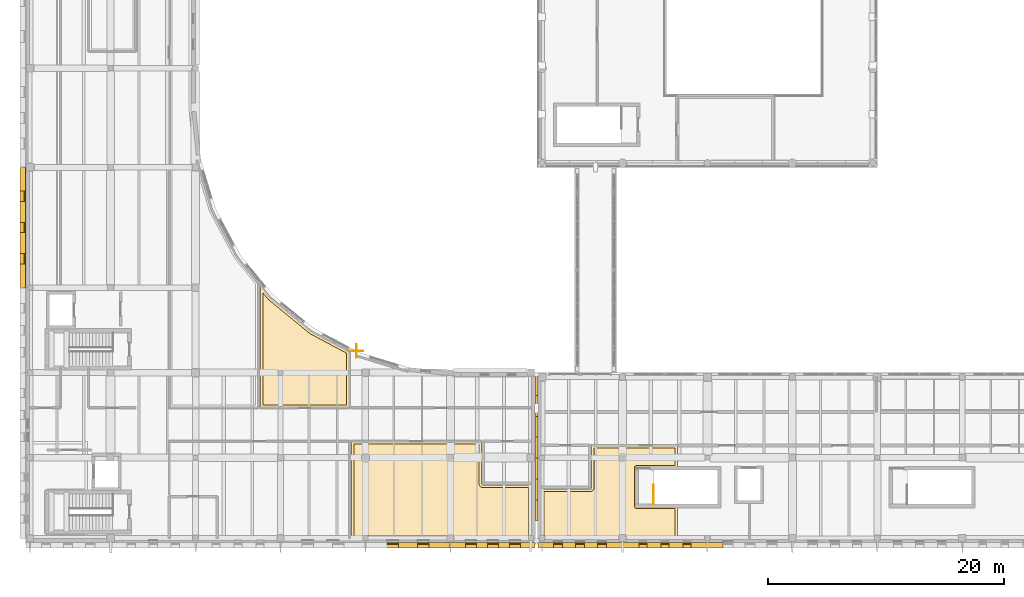
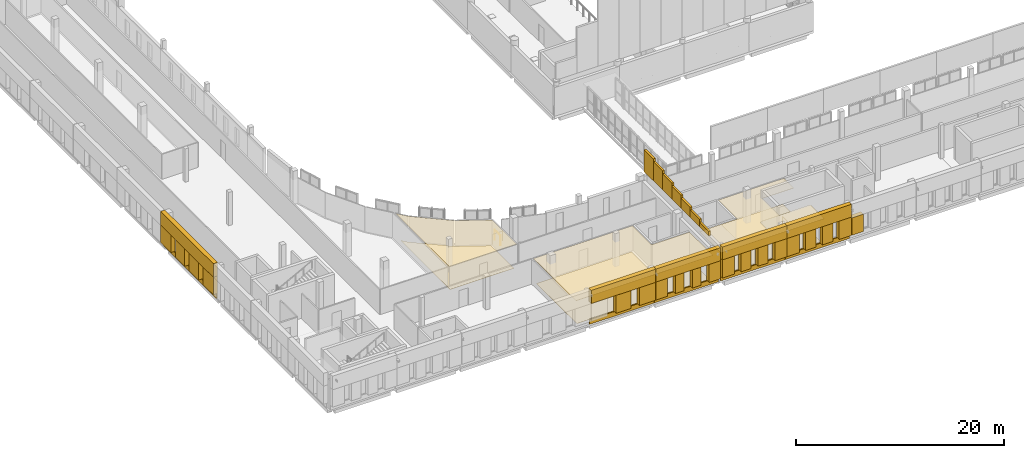
# One storey, part 66 of 76: 42 coverings, 3 railings.
"""IFC4 building model written with IfcOpenShell, lengths in metres."""

import ifcopenshell
import ifcopenshell.guid

model = None  # the IFC model being written
_history = None  # IfcOwnerHistory: only IFC2X3 demands one
_inside = {}  # id of a spatial element -> (the spatial element, [elements in it])
_under = {}  # id of a project, library or spatial element -> (it, [spatial elements below it])
_declared = {}  # id of a project -> (the project, [libraries it declares])
_typed = {}  # id of a type object -> (the type object, [elements of that type])
_made_of = {}  # id of a material, layer set ... -> (it, [elements and type objects made of it])


def new_model(schema):
    """Start an empty IFC model of exactly this schema.

    Asked for "IFC4X3", IfcOpenShell would pick the latest addendum, in which some entities
    have other attributes; the version numbers below select the first issue.
    IFC2X3 requires an IfcOwnerHistory on every rooted entity: one is made here for all.
    """
    global model, _history
    if schema == "IFC4X3":
        model = ifcopenshell.file(schema_version=(4, 3, 0, 0))
    else:
        model = ifcopenshell.file(schema=schema)
    _inside.clear()
    _under.clear()
    _declared.clear()
    _typed.clear()
    _made_of.clear()
    _history = None
    if model.schema == "IFC2X3":
        org = make("IfcOrganization", Name="unknown")
        user = make(
            "IfcPersonAndOrganization",
            ThePerson=make("IfcPerson", FamilyName="unknown"),
            TheOrganization=org,
        )
        app = make(
            "IfcApplication",
            ApplicationDeveloper=org,
            Version="unknown",
            ApplicationFullName="unknown",
            ApplicationIdentifier="unknown",
        )
        _history = make(
            "IfcOwnerHistory",
            OwningUser=user,
            OwningApplication=app,
            ChangeAction="ADDED",
            CreationDate=0,
        )
    return model


def make(cls, **values):
    """One entity of the class cls with the attributes given. An attribute that is None is left unset."""
    return model.create_entity(
        cls, **{name: value for name, value in values.items() if value is not None}
    )


def rooted(cls, **values):
    """An entity with a GlobalId (a new one), such as an element, a storey or a relation."""
    return make(cls, GlobalId=ifcopenshell.guid.new(), OwnerHistory=_history, **values)


def si_unit(unit_type, name, prefix=None):
    """IfcSIUnit, for example si_unit("LENGTHUNIT", "METRE", prefix="MILLI")."""
    return make("IfcSIUnit", UnitType=unit_type, Prefix=prefix, Name=name)


def assignment(units):
    """IfcUnitAssignment: the units of a project."""
    return None if units is None else make("IfcUnitAssignment", Units=units)


def point(xyz):
    """IfcCartesianPoint."""
    return None if xyz is None else make("IfcCartesianPoint", Coordinates=xyz)


def direction(xyz):
    """IfcDirection."""
    return None if xyz is None else make("IfcDirection", DirectionRatios=xyz)


def frame(location, z_axis=None, x_axis=None):
    """IfcAxis2Placement3D, a coordinate frame: its origin and axes. An axis left out is left unset."""
    return make(
        "IfcAxis2Placement3D",
        Location=point(location),
        Axis=direction(z_axis),
        RefDirection=direction(x_axis),
    )


def frame_2d(location, x_axis=None):
    """IfcAxis2Placement2D, a coordinate frame in the plane: its origin and x axis."""
    return make(
        "IfcAxis2Placement2D", Location=point(location), RefDirection=direction(x_axis)
    )


def origin():
    """The frame at (0, 0, 0) with its axes left unset."""
    return frame((0.0, 0.0, 0.0))


def origin_2d():
    """The frame at (0, 0) in the plane with its x axis left unset."""
    return frame_2d((0.0, 0.0))


def place(relative_to, where):
    """IfcLocalPlacement: puts the frame where relative to a parent placement (None: the world)."""
    return make(
        "IfcLocalPlacement", PlacementRelTo=relative_to, RelativePlacement=where
    )


def context(
    kind, dimensions, precision=None, world=None, true_north=None, identifier=None
):
    """IfcGeometricRepresentationContext, for example the 3D "Model" context."""
    return make(
        "IfcGeometricRepresentationContext",
        ContextIdentifier=identifier,
        ContextType=kind,
        CoordinateSpaceDimension=dimensions,
        Precision=precision,
        WorldCoordinateSystem=world,
        TrueNorth=true_north,
    )


def subcontext(parent, identifier, kind, view, scale=None):
    """IfcGeometricRepresentationSubContext, for example "Body" below "Model"."""
    return make(
        "IfcGeometricRepresentationSubContext",
        ContextIdentifier=identifier,
        ContextType=kind,
        ParentContext=parent,
        TargetScale=scale,
        TargetView=view,
    )


def project(units=None, contexts=None):
    """IfcProject with its units and contexts."""
    return rooted(
        "IfcProject",
        Name="project",
        RepresentationContexts=contexts,
        UnitsInContext=assignment(units),
    )


def spatial(cls, under=None, at=None, **own):
    """A site, building, storey or space (cls), placed at a placement, below another one or the project."""
    s = rooted(cls, ObjectPlacement=at, **own)
    if under is not None:
        _under.setdefault(under.id(), (under, []))[1].append(s)
    return s


def polyline(points):
    """IfcPolyline through the points."""
    return make("IfcPolyline", Points=[point(p) for p in points])


def profile(cls, at=None, kind="AREA", **sizes):
    """A parametric profile (cls). Its sizes go by their IFC names, for example OverallWidth=200.0."""
    return make(cls, ProfileType=kind, Position=at, **sizes)


def circle(**sizes):
    """IfcCircleProfileDef."""
    return profile("IfcCircleProfileDef", **sizes)


def outline(outer, holes=None, kind="AREA"):
    """IfcArbitraryClosedProfileDef: a profile drawn as a closed curve; with holes, ...WithVoids."""
    if holes is None:
        return make("IfcArbitraryClosedProfileDef", ProfileType=kind, OuterCurve=outer)
    return make(
        "IfcArbitraryProfileDefWithVoids",
        ProfileType=kind,
        OuterCurve=outer,
        InnerCurves=holes,
    )


def extrude(swept, where, along, depth):
    """IfcExtrudedAreaSolid: the profile swept, set in the frame where, extruded along a direction by depth."""
    return make(
        "IfcExtrudedAreaSolid",
        SweptArea=swept,
        Position=where,
        ExtrudedDirection=direction(along),
        Depth=depth,
    )


def shape(context_of_items, identifier, shape_type, items):
    """IfcShapeRepresentation: the items that make up one representation, for example the "Body"."""
    return make(
        "IfcShapeRepresentation",
        ContextOfItems=context_of_items,
        RepresentationIdentifier=identifier,
        RepresentationType=shape_type,
        Items=items,
    )


def material(Name=None, Category=None):
    """IfcMaterial."""
    return make("IfcMaterial", Name=Name, Category=Category)


def layer(
    of_material, thickness, ventilated=None, Name=None, Category=None, Priority=None
):
    """IfcMaterialLayer: one layer of a wall or slab, of a material (None: an air gap)."""
    return make(
        "IfcMaterialLayer",
        Material=of_material,
        LayerThickness=thickness,
        IsVentilated=ventilated,
        Name=Name,
        Category=Category,
        Priority=Priority,
    )


def layer_set(layers, Name=None):
    """IfcMaterialLayerSet."""
    return make("IfcMaterialLayerSet", MaterialLayers=layers, LayerSetName=Name)


def made_of(thing, what):
    """Note that an element or type object is made of a material, layer set ...; save() writes the relation."""
    if what is not None:
        _made_of.setdefault(what.id(), (what, []))[1].append(thing)
    return thing


def type_object(cls, material=None, **own):
    """A type object (cls), such as IfcWallType, which elements share."""
    return made_of(rooted(cls, **own), material)


def element(
    cls,
    number,
    at=None,
    inside=None,
    cuts=None,
    type_object=None,
    material=None,
    context=None,
    identifier="Body",
    shape_type=None,
    held_by="IfcProductDefinitionShape",
    body=None,
    shapes=None,
    **own,
):
    """One element of the class cls, such as IfcWall. Its Tag is "e" and its number.

    at: its placement. inside: the storey or other place that contains it. cuts: it is an
    opening in that element (IfcRelVoidsElement). A single representation is given by context,
    identifier, shape_type and body (its items); several are given by shapes. held_by: the class
    of the entity that holds the representations. save() writes the other relations.
    """
    e = rooted(cls, Tag="e%d" % number, ObjectPlacement=at, **own)
    if body is not None:
        shapes = [shape(context, identifier, shape_type, body)]
    if shapes is not None:
        e.Representation = make(held_by, Representations=shapes)
    if inside is not None:
        _inside.setdefault(inside.id(), (inside, []))[1].append(e)
    if cuts is not None:
        rooted(
            "IfcRelVoidsElement", RelatingBuildingElement=cuts, RelatedOpeningElement=e
        )
    if type_object is not None:
        _typed.setdefault(type_object.id(), (type_object, []))[1].append(e)
    return made_of(e, material)


def aggregate(whole, parts):
    """IfcRelAggregates: a whole, such as a stair, and the parts it consists of."""
    return rooted("IfcRelAggregates", RelatingObject=whole, RelatedObjects=parts)


def save(model, path):
    """Write the relations noted so far, then the file.

    IfcRelAggregates (storeys below a building ...), IfcRelContainedInSpatialStructure (elements
    in a storey), IfcRelDefinesByType, IfcRelAssociatesMaterial and IfcRelDeclares: one each for
    every whole, place, type object, material and project.
    """
    for whole, parts in _under.values():
        aggregate(whole, parts)
    for where, things in _inside.values():
        rooted(
            "IfcRelContainedInSpatialStructure",
            RelatedElements=things,
            RelatingStructure=where,
        )
    for kind, things in _typed.values():
        rooted("IfcRelDefinesByType", RelatedObjects=things, RelatingType=kind)
    for what, things in _made_of.values():
        rooted("IfcRelAssociatesMaterial", RelatedObjects=things, RelatingMaterial=what)
    for by, libraries in _declared.values():
        rooted("IfcRelDeclares", RelatingContext=by, RelatedDefinitions=libraries)
    model.write(path)


model = new_model("IFC4")

# Units and contexts
model_context = context("Model", 3, precision=1e-05, world=origin(), true_north=direction((0.0, 1.0)))
body_context = subcontext(model_context, "Body", "Model", "MODEL_VIEW")
ifc_project = project(units=[si_unit("LENGTHUNIT", "METRE"), si_unit("AREAUNIT", "SQUARE_METRE"), si_unit("VOLUMEUNIT", "CUBIC_METRE"), si_unit("PLANEANGLEUNIT", "RADIAN"), si_unit("MASSUNIT", "GRAM", prefix="KILO")], contexts=[model_context])

# Site, building, storey
site_placement = place(None, origin())
site = spatial("IfcSite", under=ifc_project, at=site_placement, CompositionType="ELEMENT")
building_placement = place(site_placement, origin())
building = spatial("IfcBuilding", under=site, at=building_placement, Name="Vardoun Plaza Health Centre", CompositionType="ELEMENT")
storey_placement = place(building_placement, frame((0.0, 0.0, 4.5)))
storey = spatial("IfcBuildingStorey", under=building, at=storey_placement, Name="L01", CompositionType="ELEMENT", Elevation=4.5)

# Coverings
ifc_material_1 = material(Name="Hygienic Acoustic Mineral-Fibre Ceiling", Category="concrete")
ifc_layer_1 = layer(ifc_material_1, 0.02490234375)
ifc_layer_set_1 = layer_set([ifc_layer_1], Name="Hygienic Acoustic Mineral-Fibre Ceiling")
covering_type_1 = type_object("IfcCoveringType", Name="CL-01", PredefinedType="CEILING", material=ifc_layer_set_1)
covering_1_placement = place(storey_placement, frame((0.0, 0.0, 2.8798828125)))
element("IfcCovering", 1, at=covering_1_placement, inside=storey, type_object=covering_type_1, Name="GP Consulting Room 15 Acoustic Ceiling", PredefinedType="CEILING", context=body_context, shape_type="SweptSolid", body=[
    extrude(outline(polyline([(32.10009765625, 13.070068359375), (43.116455078125, 13.070068359375), (43.116455078125, 9.529052734375), (43.116455078125, 9.528564453125), (43.1171875, 9.514892578125), (43.1171875, 9.513916015625), (43.119384765625, 9.500244140625), (43.119384765625, 9.49951171875), (43.122802734375, 9.486083984375), (43.123046875, 9.485107421875), (43.127685546875, 9.47216796875), (43.128173828125, 9.471435546875), (43.1337890625, 9.458984375), (43.134521484375, 9.4580078125), (43.1416015625, 9.446044921875), (43.14208984375, 9.4453125), (43.150390625, 9.434326171875), (43.15087890625, 9.43359375), (43.16015625, 9.42333984375), (43.160888671875, 9.422607421875), (43.1708984375, 9.41357421875), (43.171630859375, 9.412841796875), (43.1826171875, 9.40478515625), (43.18359375, 9.404052734375), (43.1953125, 9.397216796875), (43.1962890625, 9.396728515625), (43.20849609375, 9.390869140625), (43.209716796875, 9.390380859375), (43.22265625, 9.3857421875), (43.223388671875, 9.385498046875), (43.23681640625, 9.382080078125), (43.23779296875, 9.3818359375), (43.251220703125, 9.3798828125), (43.252197265625, 9.3798828125), (43.26611328125, 9.379150390625), (43.2666015625, 9.379150390625), (47.340087890625, 9.379150390625), (47.340087890625, 4.860107421875), (32.10009765625, 4.860107421875), (32.10009765625, 13.070068359375)])), origin(), (0.0, 0.0, 1.0), 0.025146484375),
])
covering_2_placement = place(storey_placement, frame((0.0, 0.0, 2.8798828125)))
element("IfcCovering", 2, at=covering_2_placement, inside=storey, type_object=covering_type_1, Name="Clean Utility Room L01 Acoustic Ceiling", PredefinedType="CEILING", context=body_context, shape_type="SweptSolid", body=[
    extrude(outline(polyline([(25.2119140625, 25.26171875), (25.212158203125, 25.261474609375), (25.235107421875, 25.23583984375), (25.23583984375, 25.235107421875), (25.261474609375, 25.212158203125), (25.26171875, 25.2119140625), (28.67138671875, 22.41357421875), (28.671630859375, 22.413330078125), (28.69921875, 22.392822265625), (28.7001953125, 22.392333984375), (28.7294921875, 22.37451171875), (28.72998046875, 22.37451171875), (31.919921875, 20.669189453125), (31.919921875, 15.929931640625), (24.389892578125, 15.929931640625), (24.389892578125, 26.26318359375), (25.2119140625, 25.26171875)])), origin(), (0.0, 0.0, 1.0), 0.025146484375),
])
covering_3_placement = place(storey_placement, frame((0.0, 0.0, 2.844970703125)))
element("IfcCovering", 3, at=covering_3_placement, inside=storey, type_object=covering_type_1, Name="Laboratory Waiting Area Acoustic Ceiling", PredefinedType="CEILING", context=body_context, shape_type="SweptSolid", body=[
    extrude(outline(polyline([(59.75, 10.81005859375), (56.300048828125, 10.81005859375), (56.299072265625, 10.81005859375), (56.298095703125, 10.809814453125), (56.297119140625, 10.8095703125), (56.296142578125, 10.80908203125), (56.29541015625, 10.808837890625), (56.29443359375, 10.808349609375), (56.293701171875, 10.8076171875), (56.29296875, 10.80712890625), (56.292236328125, 10.806396484375), (56.291748046875, 10.8056640625), (56.291259765625, 10.8046875), (56.290771484375, 10.8037109375), (56.290283203125, 10.802978515625), (56.290283203125, 10.802001953125), (56.2900390625, 10.801025390625), (56.2900390625, 10.800048828125), (56.2900390625, 7.60009765625), (56.2900390625, 7.59912109375), (56.290283203125, 7.597900390625), (56.290283203125, 7.59716796875), (56.290771484375, 7.59619140625), (56.291259765625, 7.59521484375), (56.291748046875, 7.594482421875), (56.292236328125, 7.59375), (56.29296875, 7.593017578125), (56.293701171875, 7.59228515625), (56.29443359375, 7.591796875), (56.29541015625, 7.59130859375), (56.296142578125, 7.5908203125), (56.297119140625, 7.59033203125), (56.298095703125, 7.590087890625), (56.299072265625, 7.590087890625), (56.300048828125, 7.590087890625), (59.75, 7.590087890625), (59.75, 4.860107421875), (48.239990234375, 4.860107421875), (48.239990234375, 9.029052734375), (52.3134765625, 9.029052734375), (52.31396484375, 9.029052734375), (52.32763671875, 9.02978515625), (52.32861328125, 9.02978515625), (52.34228515625, 9.031982421875), (52.34326171875, 9.031982421875), (52.356689453125, 9.035400390625), (52.357421875, 9.035888671875), (52.370361328125, 9.040283203125), (52.371337890625, 9.040771484375), (52.3837890625, 9.046630859375), (52.384521484375, 9.047119140625), (52.396484375, 9.05419921875), (52.397216796875, 9.0546875), (52.408203125, 9.06298828125), (52.408935546875, 9.0634765625), (52.419189453125, 9.07275390625), (52.419921875, 9.073486328125), (52.42919921875, 9.08349609375), (52.4296875, 9.084228515625), (52.43798828125, 9.09521484375), (52.4384765625, 9.09619140625), (52.445556640625, 9.10791015625), (52.446044921875, 9.10888671875), (52.451904296875, 9.121337890625), (52.4521484375, 9.122314453125), (52.456787109375, 9.135009765625), (52.457275390625, 9.135986328125), (52.46044921875, 9.1494140625), (52.460693359375, 9.150390625), (52.462646484375, 9.163818359375), (52.462890625, 9.164794921875), (52.46337890625, 9.1787109375), (52.46337890625, 9.17919921875), (52.46337890625, 12.719970703125), (59.75, 12.719970703125), (59.75, 10.81005859375)])), origin(), (0.0, 0.0, 1.0), 0.025146484375),
])
ifc_material_2 = material(Name="Pale Limestone Concrete C35/45", Category="masonry")
ifc_layer_2 = layer(ifc_material_2, 0.080078125)
ifc_layer_set_2 = layer_set([ifc_layer_2], Name="Pale Limestone Concrete C35/45")
covering_type_2 = type_object("IfcCoveringType", Name="CL-EXT1", PredefinedType="CLADDING", material=ifc_layer_set_2)
covering_4_placement = place(storey_placement, origin())
element("IfcCovering", 4, at=covering_4_placement, inside=storey, type_object=covering_type_2, Name="V2 L01 Pale Concrete Sill Band 83", PredefinedType="CLADDING", context=body_context, shape_type="SweptSolid", body=[
    extrude(outline(polyline([(47.679931640625, 4.5), (40.52001953125, 4.5), (40.52001953125, 4.360107421875), (47.679931640625, 4.360107421875), (47.679931640625, 4.5)])), origin(), (0.0, 0.0, 1.0), 0.550048828125),
])
covering_5_placement = place(storey_placement, frame((0.0, 0.0, 2.669921875)))
element("IfcCovering", 5, at=covering_5_placement, inside=storey, type_object=covering_type_2, Name="V2 L01 Sculpted Concrete Eyebrow Hood 84", PredefinedType="CLADDING", context=body_context, shape_type="SweptSolid", body=[
    extrude(outline(polyline([(47.679931640625, 4.5), (40.52001953125, 4.5), (40.52001953125, 4.02001953125), (47.679931640625, 4.02001953125), (47.679931640625, 4.5)])), origin(), (0.0, 0.0, 1.0), 1.530029296875),
])
covering_6_placement = place(storey_placement, frame((0.0, 0.0, 0.550048828125)))
element("IfcCovering", 6, at=covering_6_placement, inside=storey, type_object=covering_type_2, Name="V2 L01 Deep-Punched Slot Concrete Reveal Pier 85", PredefinedType="CLADDING", context=body_context, shape_type="SweptSolid", body=[
    extrude(outline(polyline([(47.679931640625, 4.5), (46.431884765625, 4.5), (46.431884765625, 4.02001953125), (47.679931640625, 4.02001953125), (47.679931640625, 4.5)])), origin(), (0.0, 0.0, 1.0), 2.119873046875),
])
covering_7_placement = place(storey_placement, frame((0.0, 0.0, 0.550048828125)))
element("IfcCovering", 7, at=covering_7_placement, inside=storey, type_object=covering_type_2, Name="V2 L01 Deep-Punched Slot Concrete Reveal Pier 86", PredefinedType="CLADDING", context=body_context, shape_type="SweptSolid", body=[
    extrude(outline(polyline([(45.511962890625, 4.5), (44.56005859375, 4.5), (44.56005859375, 4.02001953125), (45.511962890625, 4.02001953125), (45.511962890625, 4.5)])), origin(), (0.0, 0.0, 1.0), 2.119873046875),
])
covering_8_placement = place(storey_placement, frame((0.0, 0.0, 0.550048828125)))
element("IfcCovering", 8, at=covering_8_placement, inside=storey, type_object=covering_type_2, Name="V2 L01 Deep-Punched Slot Concrete Reveal Pier 87", PredefinedType="CLADDING", context=body_context, shape_type="SweptSolid", body=[
    extrude(outline(polyline([(43.639892578125, 4.5), (42.68798828125, 4.5), (42.68798828125, 4.02001953125), (43.639892578125, 4.02001953125), (43.639892578125, 4.5)])), origin(), (0.0, 0.0, 1.0), 2.119873046875),
])
covering_9_placement = place(storey_placement, frame((0.0, 0.0, 0.550048828125)))
element("IfcCovering", 9, at=covering_9_placement, inside=storey, type_object=covering_type_2, Name="V2 L01 Deep-Punched Slot Concrete Reveal Pier 88", PredefinedType="CLADDING", context=body_context, shape_type="SweptSolid", body=[
    extrude(outline(polyline([(41.76806640625, 4.5), (40.52001953125, 4.5), (40.52001953125, 4.02001953125), (41.76806640625, 4.02001953125), (41.76806640625, 4.5)])), origin(), (0.0, 0.0, 1.0), 2.119873046875),
])
covering_10_placement = place(storey_placement, origin())
element("IfcCovering", 10, at=covering_10_placement, inside=storey, type_object=covering_type_2, Name="V2 L01 Pale Concrete Sill Band 89", PredefinedType="CLADDING", context=body_context, shape_type="SweptSolid", body=[
    extrude(outline(polyline([(40.47998046875, 4.5), (33.320068359375, 4.5), (33.320068359375, 4.360107421875), (40.47998046875, 4.360107421875), (40.47998046875, 4.5)])), origin(), (0.0, 0.0, 1.0), 0.550048828125),
])
covering_11_placement = place(storey_placement, frame((0.0, 0.0, 2.64990234375)))
element("IfcCovering", 11, at=covering_11_placement, inside=storey, type_object=covering_type_2, Name="V2 L01 Sculpted Concrete Eyebrow Hood 90", PredefinedType="CLADDING", context=body_context, shape_type="SweptSolid", body=[
    extrude(outline(polyline([(40.47998046875, 4.5), (33.320068359375, 4.5), (33.320068359375, 4.02001953125), (40.47998046875, 4.02001953125), (40.47998046875, 4.5)])), origin(), (0.0, 0.0, 1.0), 1.550048828125),
])
covering_12_placement = place(storey_placement, frame((0.0, 0.0, 0.550048828125)))
element("IfcCovering", 12, at=covering_12_placement, inside=storey, type_object=covering_type_2, Name="V2 L01 Deep-Punched Slot Concrete Reveal Pier 91", PredefinedType="CLADDING", context=body_context, shape_type="SweptSolid", body=[
    extrude(outline(polyline([(40.47998046875, 4.5), (38.676025390625, 4.5), (38.676025390625, 4.02001953125), (40.47998046875, 4.02001953125), (40.47998046875, 4.5)])), origin(), (0.0, 0.0, 1.0), 2.099853515625),
])
covering_13_placement = place(storey_placement, frame((0.0, 0.0, 0.550048828125)))
element("IfcCovering", 13, at=covering_13_placement, inside=storey, type_object=covering_type_2, Name="V2 L01 Deep-Punched Slot Concrete Reveal Pier 92", PredefinedType="CLADDING", context=body_context, shape_type="SweptSolid", body=[
    extrude(outline(polyline([(37.716064453125, 4.5), (36.083984375, 4.5), (36.083984375, 4.02001953125), (37.716064453125, 4.02001953125), (37.716064453125, 4.5)])), origin(), (0.0, 0.0, 1.0), 2.099853515625),
])
covering_14_placement = place(storey_placement, origin())
element("IfcCovering", 14, at=covering_14_placement, inside=storey, type_object=covering_type_2, Name="V2 L01 Pale Concrete Sill Band 135", PredefinedType="CLADDING", context=body_context, shape_type="SweptSolid", body=[
    extrude(outline(polyline([(4.5, 26.1201171875), (4.5, 36.280029296875), (4.360107421875, 36.280029296875), (4.360107421875, 26.1201171875), (4.5, 26.1201171875)])), origin(), (0.0, 0.0, 1.0), 0.550048828125),
])
covering_15_placement = place(storey_placement, frame((0.0, 0.0, 2.610107421875)))
element("IfcCovering", 15, at=covering_15_placement, inside=storey, type_object=covering_type_2, Name="V2 L01 Sculpted Concrete Eyebrow Hood 136", PredefinedType="CLADDING", context=body_context, shape_type="SweptSolid", body=[
    extrude(outline(polyline([(4.5, 26.1201171875), (4.5, 36.280029296875), (4.02001953125, 36.280029296875), (4.02001953125, 26.1201171875), (4.5, 26.1201171875)])), origin(), (0.0, 0.0, 1.0), 1.58984375),
])
covering_16_placement = place(storey_placement, frame((0.0, 0.0, 0.550048828125)))
element("IfcCovering", 16, at=covering_16_placement, inside=storey, type_object=covering_type_2, Name="V2 L01 Deep-Punched Slot Concrete Reveal Pier 137", PredefinedType="CLADDING", context=body_context, shape_type="SweptSolid", body=[
    extrude(outline(polyline([(4.5, 26.1201171875), (4.5, 28.113037109375), (4.02001953125, 28.113037109375), (4.02001953125, 26.1201171875), (4.5, 26.1201171875)])), origin(), (0.0, 0.0, 1.0), 2.06005859375),
])
covering_17_placement = place(storey_placement, frame((0.0, 0.0, 0.550048828125)))
element("IfcCovering", 17, at=covering_17_placement, inside=storey, type_object=covering_type_2, Name="V2 L01 Deep-Punched Slot Concrete Reveal Pier 138", PredefinedType="CLADDING", context=body_context, shape_type="SweptSolid", body=[
    extrude(outline(polyline([(4.5, 28.98291015625), (4.5, 30.764892578125), (4.02001953125, 30.764892578125), (4.02001953125, 28.98291015625), (4.5, 28.98291015625)])), origin(), (0.0, 0.0, 1.0), 2.06005859375),
])
covering_18_placement = place(storey_placement, frame((0.0, 0.0, 0.550048828125)))
element("IfcCovering", 18, at=covering_18_placement, inside=storey, type_object=covering_type_2, Name="V2 L01 Deep-Punched Slot Concrete Reveal Pier 139", PredefinedType="CLADDING", context=body_context, shape_type="SweptSolid", body=[
    extrude(outline(polyline([(4.5, 31.635009765625), (4.5, 33.4169921875), (4.02001953125, 33.4169921875), (4.02001953125, 31.635009765625), (4.5, 31.635009765625)])), origin(), (0.0, 0.0, 1.0), 2.06005859375),
])
covering_19_placement = place(storey_placement, frame((0.0, 0.0, 0.550048828125)))
element("IfcCovering", 19, at=covering_19_placement, inside=storey, type_object=covering_type_2, Name="V2 L01 Deep-Punched Slot Concrete Reveal Pier 140", PredefinedType="CLADDING", context=body_context, shape_type="SweptSolid", body=[
    extrude(outline(polyline([(4.5, 34.287109375), (4.5, 36.280029296875), (4.02001953125, 36.280029296875), (4.02001953125, 34.287109375), (4.5, 34.287109375)])), origin(), (0.0, 0.0, 1.0), 2.06005859375),
])
covering_20_placement = place(storey_placement, frame((0.0, 0.0, 0.550048828125)))
element("IfcCovering", 20, at=covering_20_placement, inside=storey, type_object=covering_type_2, Name="V4 L01 Deep-Punched Slot Concrete Reveal Pier 1058", PredefinedType="CLADDING", context=body_context, shape_type="SweptSolid", body=[
    extrude(outline(polyline([(63.587890625, 4.5), (62.300048828125, 4.5), (62.300048828125, 4.02001953125), (63.587890625, 4.02001953125), (63.587890625, 4.5)])), origin(), (0.0, 0.0, 1.0), 2.0400390625),
])
covering_21_placement = place(storey_placement, origin())
element("IfcCovering", 21, at=covering_21_placement, inside=storey, type_object=covering_type_2, Name="V4 L01 Pale Concrete Sill Band 1059", PredefinedType="CLADDING", context=body_context, shape_type="SweptSolid", body=[
    extrude(outline(polyline([(62.260009765625, 4.5), (55.10009765625, 4.5), (55.10009765625, 4.360107421875), (62.260009765625, 4.360107421875), (62.260009765625, 4.5)])), origin(), (0.0, 0.0, 1.0), 0.550048828125),
])
covering_22_placement = place(storey_placement, frame((0.0, 0.0, 2.68994140625)))
element("IfcCovering", 22, at=covering_22_placement, inside=storey, type_object=covering_type_2, Name="V4 L01 Sculpted Concrete Eyebrow Hood 1060", PredefinedType="CLADDING", context=body_context, shape_type="SweptSolid", body=[
    extrude(outline(polyline([(62.260009765625, 4.5), (55.10009765625, 4.5), (55.10009765625, 4.02001953125), (62.260009765625, 4.02001953125), (62.260009765625, 4.5)])), origin(), (0.0, 0.0, 1.0), 1.510009765625),
])
covering_23_placement = place(storey_placement, frame((0.0, 0.0, 0.550048828125)))
element("IfcCovering", 23, at=covering_23_placement, inside=storey, type_object=covering_type_2, Name="V4 L01 Deep-Punched Slot Concrete Reveal Pier 1061", PredefinedType="CLADDING", context=body_context, shape_type="SweptSolid", body=[
    extrude(outline(polyline([(62.260009765625, 4.5), (60.89697265625, 4.5), (60.89697265625, 4.02001953125), (62.260009765625, 4.02001953125), (62.260009765625, 4.5)])), origin(), (0.0, 0.0, 1.0), 2.139892578125),
])
covering_24_placement = place(storey_placement, frame((0.0, 0.0, 0.550048828125)))
element("IfcCovering", 24, at=covering_24_placement, inside=storey, type_object=covering_type_2, Name="V4 L01 Deep-Punched Slot Concrete Reveal Pier 1062", PredefinedType="CLADDING", context=body_context, shape_type="SweptSolid", body=[
    extrude(outline(polyline([(60.20703125, 4.5), (59.02490234375, 4.5), (59.02490234375, 4.02001953125), (60.20703125, 4.02001953125), (60.20703125, 4.5)])), origin(), (0.0, 0.0, 1.0), 2.139892578125),
])
covering_25_placement = place(storey_placement, frame((0.0, 0.0, 0.550048828125)))
element("IfcCovering", 25, at=covering_25_placement, inside=storey, type_object=covering_type_2, Name="V4 L01 Deep-Punched Slot Concrete Reveal Pier 1063", PredefinedType="CLADDING", context=body_context, shape_type="SweptSolid", body=[
    extrude(outline(polyline([(58.3349609375, 4.5), (57.153076171875, 4.5), (57.153076171875, 4.02001953125), (58.3349609375, 4.02001953125), (58.3349609375, 4.5)])), origin(), (0.0, 0.0, 1.0), 2.139892578125),
])
covering_26_placement = place(storey_placement, frame((0.0, 0.0, 0.550048828125)))
element("IfcCovering", 26, at=covering_26_placement, inside=storey, type_object=covering_type_2, Name="V4 L01 Deep-Punched Slot Concrete Reveal Pier 1064", PredefinedType="CLADDING", context=body_context, shape_type="SweptSolid", body=[
    extrude(outline(polyline([(56.462890625, 4.5), (55.10009765625, 4.5), (55.10009765625, 4.02001953125), (56.462890625, 4.02001953125), (56.462890625, 4.5)])), origin(), (0.0, 0.0, 1.0), 2.139892578125),
])
covering_27_placement = place(storey_placement, origin())
element("IfcCovering", 27, at=covering_27_placement, inside=storey, type_object=covering_type_2, Name="V4 L01 Pale Concrete Sill Band 1065", PredefinedType="CLADDING", context=body_context, shape_type="SweptSolid", body=[
    extrude(outline(polyline([(55.06005859375, 4.5), (47.89990234375, 4.5), (47.89990234375, 4.360107421875), (55.06005859375, 4.360107421875), (55.06005859375, 4.5)])), origin(), (0.0, 0.0, 1.0), 0.550048828125),
])
covering_28_placement = place(storey_placement, frame((0.0, 0.0, 2.68994140625)))
element("IfcCovering", 28, at=covering_28_placement, inside=storey, type_object=covering_type_2, Name="V4 L01 Sculpted Concrete Eyebrow Hood 1066", PredefinedType="CLADDING", context=body_context, shape_type="SweptSolid", body=[
    extrude(outline(polyline([(55.06005859375, 4.5), (47.89990234375, 4.5), (47.89990234375, 4.02001953125), (55.06005859375, 4.02001953125), (55.06005859375, 4.5)])), origin(), (0.0, 0.0, 1.0), 1.510009765625),
])
covering_29_placement = place(storey_placement, frame((0.0, 0.0, 0.550048828125)))
element("IfcCovering", 29, at=covering_29_placement, inside=storey, type_object=covering_type_2, Name="V4 L01 Deep-Punched Slot Concrete Reveal Pier 1067", PredefinedType="CLADDING", context=body_context, shape_type="SweptSolid", body=[
    extrude(outline(polyline([(55.06005859375, 4.5), (53.72705078125, 4.5), (53.72705078125, 4.02001953125), (55.06005859375, 4.02001953125), (55.06005859375, 4.5)])), origin(), (0.0, 0.0, 1.0), 2.139892578125),
])
covering_30_placement = place(storey_placement, frame((0.0, 0.0, 0.550048828125)))
element("IfcCovering", 30, at=covering_30_placement, inside=storey, type_object=covering_type_2, Name="V4 L01 Deep-Punched Slot Concrete Reveal Pier 1068", PredefinedType="CLADDING", context=body_context, shape_type="SweptSolid", body=[
    extrude(outline(polyline([(52.97705078125, 4.5), (51.85498046875, 4.5), (51.85498046875, 4.02001953125), (52.97705078125, 4.02001953125), (52.97705078125, 4.5)])), origin(), (0.0, 0.0, 1.0), 2.139892578125),
])
covering_31_placement = place(storey_placement, frame((0.0, 0.0, 0.550048828125)))
element("IfcCovering", 31, at=covering_31_placement, inside=storey, type_object=covering_type_2, Name="V4 L01 Deep-Punched Slot Concrete Reveal Pier 1069", PredefinedType="CLADDING", context=body_context, shape_type="SweptSolid", body=[
    extrude(outline(polyline([(51.10498046875, 4.5), (49.98291015625, 4.5), (49.98291015625, 4.02001953125), (51.10498046875, 4.02001953125), (51.10498046875, 4.5)])), origin(), (0.0, 0.0, 1.0), 2.139892578125),
])
covering_32_placement = place(storey_placement, frame((0.0, 0.0, 0.550048828125)))
element("IfcCovering", 32, at=covering_32_placement, inside=storey, type_object=covering_type_2, Name="V4 L01 Deep-Punched Slot Concrete Reveal Pier 1070", PredefinedType="CLADDING", context=body_context, shape_type="SweptSolid", body=[
    extrude(outline(polyline([(49.23291015625, 4.5), (47.89990234375, 4.5), (47.89990234375, 4.02001953125), (49.23291015625, 4.02001953125), (49.23291015625, 4.5)])), origin(), (0.0, 0.0, 1.0), 2.139892578125),
])
covering_33_placement = place(storey_placement, frame((0.0, 0.0, 4.199951171875)))
element("IfcCovering", 33, at=covering_33_placement, inside=storey, type_object=covering_type_2, Name="Sculpted Concrete Roof Gable Cladding V4-W.2", PredefinedType="CLADDING", context=body_context, shape_type="SweptSolid", body=[
    extrude(outline(polyline([(47.919921875, 6.3173828125), (47.919921875, 8.094970703125), (47.699951171875, 8.094970703125), (47.699951171875, 6.3173828125), (47.919921875, 6.3173828125)])), origin(), (0.0, 0.0, 1.0), 0.515625),
])
covering_34_placement = place(storey_placement, frame((0.0, 0.0, 4.199951171875)))
element("IfcCovering", 34, at=covering_34_placement, inside=storey, type_object=covering_type_2, Name="Sculpted Concrete Roof Gable Cladding V4-W.3", PredefinedType="CLADDING", context=body_context, shape_type="SweptSolid", body=[
    extrude(outline(polyline([(47.919921875, 8.094970703125), (47.919921875, 9.87255859375), (47.699951171875, 9.87255859375), (47.699951171875, 8.094970703125), (47.919921875, 8.094970703125)])), origin(), (0.0, 0.0, 1.0), 0.859375),
])
covering_35_placement = place(storey_placement, frame((0.0, 0.0, 4.199951171875)))
element("IfcCovering", 35, at=covering_35_placement, inside=storey, type_object=covering_type_2, Name="Sculpted Concrete Roof Gable Cladding V4-W.4", PredefinedType="CLADDING", context=body_context, shape_type="SweptSolid", body=[
    extrude(outline(polyline([(47.919921875, 9.87255859375), (47.919921875, 11.64990234375), (47.699951171875, 11.64990234375), (47.699951171875, 9.87255859375), (47.919921875, 9.87255859375)])), origin(), (0.0, 0.0, 1.0), 1.203125),
])
covering_36_placement = place(storey_placement, frame((0.0, 0.0, 4.199951171875)))
element("IfcCovering", 36, at=covering_36_placement, inside=storey, type_object=covering_type_2, Name="Sculpted Concrete Roof Gable Cladding V4-W.5", PredefinedType="CLADDING", context=body_context, shape_type="SweptSolid", body=[
    extrude(outline(polyline([(47.919921875, 11.64990234375), (47.919921875, 13.427490234375), (47.699951171875, 13.427490234375), (47.699951171875, 11.64990234375), (47.919921875, 11.64990234375)])), origin(), (0.0, 0.0, 1.0), 1.546875),
])
covering_37_placement = place(storey_placement, frame((0.0, 0.0, 4.199951171875)))
element("IfcCovering", 37, at=covering_37_placement, inside=storey, type_object=covering_type_2, Name="Sculpted Concrete Roof Gable Cladding V4-W.6", PredefinedType="CLADDING", context=body_context, shape_type="SweptSolid", body=[
    extrude(outline(polyline([(47.919921875, 13.427490234375), (47.919921875, 15.205078125), (47.699951171875, 15.205078125), (47.699951171875, 13.427490234375), (47.919921875, 13.427490234375)])), origin(), (0.0, 0.0, 1.0), 1.890625),
])
covering_38_placement = place(storey_placement, frame((0.0, 0.0, 4.199951171875)))
element("IfcCovering", 38, at=covering_38_placement, inside=storey, type_object=covering_type_2, Name="Sculpted Concrete Roof Gable Cladding V4-W.7", PredefinedType="CLADDING", context=body_context, shape_type="SweptSolid", body=[
    extrude(outline(polyline([(47.919921875, 15.205078125), (47.919921875, 16.982421875), (47.699951171875, 16.982421875), (47.699951171875, 15.205078125), (47.919921875, 15.205078125)])), origin(), (0.0, 0.0, 1.0), 2.234375),
])
covering_39_placement = place(storey_placement, frame((0.0, 0.0, 4.199951171875)))
element("IfcCovering", 39, at=covering_39_placement, inside=storey, type_object=covering_type_2, Name="Sculpted Concrete Roof Gable Cladding V4-W.8", PredefinedType="CLADDING", context=body_context, shape_type="SweptSolid", body=[
    extrude(outline(polyline([(47.919921875, 16.982421875), (47.919921875, 18.760009765625), (47.699951171875, 18.760009765625), (47.699951171875, 16.982421875), (47.919921875, 16.982421875)])), origin(), (0.0, 0.0, 1.0), 2.578125),
])
ifc_material_3 = material(Name="Polished Lebanese Limestone Terrazzo", Category="masonry")
ifc_layer_3 = layer(ifc_material_3, 0.030029296875)
ifc_layer_set_3 = layer_set([ifc_layer_3], Name="Polished Lebanese Limestone Terrazzo")
covering_type_3 = type_object("IfcCoveringType", Name="FL-02", PredefinedType="FLOORING", material=ifc_layer_set_3)
covering_40_placement = place(storey_placement, origin())
element("IfcCovering", 40, at=covering_40_placement, inside=storey, type_object=covering_type_3, Name="Laboratory Waiting Area Floor Finish", PredefinedType="FLOORING", context=body_context, shape_type="SweptSolid", body=[
    extrude(outline(polyline([(59.5400390625, 11.02001953125), (56.300048828125, 11.02001953125), (56.2783203125, 11.018798828125), (56.257080078125, 11.015869140625), (56.236083984375, 11.010498046875), (56.2158203125, 11.00341796875), (56.1962890625, 10.993896484375), (56.177734375, 10.98291015625), (56.160400390625, 10.97021484375), (56.144287109375, 10.95556640625), (56.1298828125, 10.939697265625), (56.1171875, 10.922119140625), (56.10595703125, 10.90380859375), (56.0966796875, 10.88427734375), (56.089599609375, 10.864013671875), (56.084228515625, 10.843017578125), (56.0810546875, 10.821533203125), (56.080078125, 10.800048828125), (56.080078125, 7.60009765625), (56.0810546875, 7.578369140625), (56.084228515625, 7.55712890625), (56.089599609375, 7.5361328125), (56.0966796875, 7.515869140625), (56.10595703125, 7.496337890625), (56.1171875, 7.477783203125), (56.1298828125, 7.46044921875), (56.144287109375, 7.4443359375), (56.160400390625, 7.429931640625), (56.177734375, 7.4169921875), (56.1962890625, 7.406005859375), (56.2158203125, 7.396728515625), (56.236083984375, 7.389404296875), (56.257080078125, 7.38427734375), (56.2783203125, 7.381103515625), (56.300048828125, 7.3798828125), (59.5400390625, 7.3798828125), (59.5400390625, 5.070068359375), (48.449951171875, 5.070068359375), (48.449951171875, 8.819091796875), (52.3134765625, 8.819091796875), (52.32470703125, 8.8193359375), (52.33837890625, 8.820068359375), (52.359130859375, 8.822021484375), (52.372802734375, 8.82421875), (52.395263671875, 8.82861328125), (52.40869140625, 8.83203125), (52.427490234375, 8.837890625), (52.4404296875, 8.84228515625), (52.461669921875, 8.85107421875), (52.47412109375, 8.85693359375), (52.49169921875, 8.866455078125), (52.50341796875, 8.87353515625), (52.522705078125, 8.88623046875), (52.53369140625, 8.89453125), (52.549560546875, 8.907470703125), (52.559814453125, 8.916748046875), (52.575927734375, 8.932861328125), (52.585205078125, 8.943115234375), (52.59814453125, 8.958740234375), (52.606201171875, 8.9697265625), (52.618408203125, 8.98779296875), (52.62548828125, 8.999755859375), (52.63671875, 9.0205078125), (52.642333984375, 9.032958984375), (52.6494140625, 9.05029296875), (52.654296875, 9.063232421875), (52.660888671875, 9.08544921875), (52.664306640625, 9.098876953125), (52.66845703125, 9.119873046875), (52.67041015625, 9.13330078125), (52.672607421875, 9.154296875), (52.673095703125, 9.16796875), (52.673583984375, 9.17919921875), (52.673583984375, 12.510009765625), (59.5400390625, 12.510009765625), (59.5400390625, 11.02001953125)])), origin(), (0.0, 0.0, 1.0), 0.030029296875),
])
ifc_material_4 = material(Name="Seamless Conductive Clinical Vinyl Flooring", Category="concrete")
ifc_layer_4 = layer(ifc_material_4, 0.014892578125)
ifc_layer_set_4 = layer_set([ifc_layer_4], Name="Seamless Conductive Clinical Vinyl Flooring")
covering_type_4 = type_object("IfcCoveringType", Name="FL-01", PredefinedType="FLOORING", material=ifc_layer_set_4)
covering_41_placement = place(storey_placement, origin())
element("IfcCovering", 41, at=covering_41_placement, inside=storey, type_object=covering_type_4, Name="GP Consulting Room 15 Floor Finish", PredefinedType="FLOORING", context=body_context, shape_type="SweptSolid", body=[
    extrude(outline(polyline([(32.31005859375, 12.860107421875), (42.906494140625, 12.860107421875), (42.906494140625, 9.529052734375), (42.90673828125, 9.517822265625), (42.907470703125, 9.504150390625), (42.909423828125, 9.4833984375), (42.91162109375, 9.4697265625), (42.915771484375, 9.44873046875), (42.9189453125, 9.435546875), (42.92578125, 9.4130859375), (42.930419921875, 9.400390625), (42.9375, 9.383056640625), (42.943359375, 9.37060546875), (42.95458984375, 9.349609375), (42.961669921875, 9.337890625), (42.9736328125, 9.31982421875), (42.98193359375, 9.308837890625), (42.994873046875, 9.29296875), (43.004150390625, 9.28271484375), (43.020263671875, 9.2666015625), (43.030517578125, 9.257568359375), (43.046142578125, 9.244384765625), (43.05712890625, 9.236328125), (43.076416015625, 9.223388671875), (43.08837890625, 9.216552734375), (43.10595703125, 9.20703125), (43.118408203125, 9.201171875), (43.139404296875, 9.1923828125), (43.152587890625, 9.187744140625), (43.17138671875, 9.18212890625), (43.184814453125, 9.1787109375), (43.207275390625, 9.174072265625), (43.220703125, 9.172119140625), (43.24169921875, 9.170166015625), (43.25537109375, 9.16943359375), (43.2666015625, 9.169189453125), (47.1298828125, 9.169189453125), (47.1298828125, 5.070068359375), (32.31005859375, 5.070068359375), (32.31005859375, 12.860107421875)])), origin(), (0.0, 0.0, 1.0), 0.014892578125),
])
covering_42_placement = place(storey_placement, origin())
element("IfcCovering", 42, at=covering_42_placement, inside=storey, type_object=covering_type_4, Name="Clean Utility Room L01 Floor Finish", PredefinedType="FLOORING", context=body_context, shape_type="SweptSolid", body=[
    extrude(outline(polyline([(25.04931640625, 25.12841796875), (25.056396484375, 25.120361328125), (25.07958984375, 25.094970703125), (25.094970703125, 25.07958984375), (25.120361328125, 25.056396484375), (25.12841796875, 25.04931640625), (28.5380859375, 22.251220703125), (28.546630859375, 22.24462890625), (28.57421875, 22.22412109375), (28.592041015625, 22.21240234375), (28.62158203125, 22.194580078125), (28.631103515625, 22.189208984375), (31.7099609375, 20.54345703125), (31.7099609375, 16.139892578125), (24.60009765625, 16.139892578125), (24.60009765625, 25.67626953125), (25.04931640625, 25.12841796875)])), origin(), (0.0, 0.0, 1.0), 0.014892578125),
])

# Railings
ifc_material_5 = material(Name="Painted Steel S275JR Stair-Well Guardrail", Category="steel")
railing_type = type_object("IfcRailingType", Name="GR-04", PredefinedType="GUARDRAIL", material=ifc_material_5)
railing_1_placement = place(storey_placement, frame((57.7099609375, 7.780029296875, 0.0)))
element("IfcRailing", 43, at=railing_1_placement, inside=storey, type_object=railing_type, Name="Stair ST-C6-L00 Upper Landing Well Guard", PredefinedType="GUARDRAIL", context=body_context, shape_type="SweptSolid", body=[
    extrude(circle(Radius=0.02392578125, at=origin_2d()), frame((0.0, 0.0, 1.09619140625), z_axis=(0.0, 1.0, 0.0), x_axis=(-1.0, 0.0, 0.0)), (0.0, 0.0, 1.0), 1.614990234375),
    extrude(circle(Radius=0.02099609375, at=origin_2d()), origin(), (0.0, 0.0, 1.0), 1.072021484375),
    extrude(circle(Radius=0.02099609375, at=origin_2d()), frame((0.0, 0.8076171875, 0.0)), (0.0, 0.0, 1.0), 1.072021484375),
    extrude(circle(Radius=0.02099609375, at=origin_2d()), frame((0.0, 1.614990234375, 0.0)), (0.0, 0.0, 1.0), 1.072021484375),
])
railing_2_placement = place(storey_placement, frame((32.0, 20.739990234375, 0.0)))
element("IfcRailing", 44, at=railing_2_placement, inside=storey, Name="V2 L01 Courtyard Corner Edge Guard X", PredefinedType="GUARDRAIL", context=body_context, shape_type="SweptSolid", body=[
    extrude(circle(Radius=0.02392578125, at=origin_2d()), frame((0.0, 0.0, 1.1259765625), z_axis=(1.0, 0.0, 0.0), x_axis=(0.0, 1.0, 0.0)), (0.0, 0.0, 1.0), 1.10009765625),
    extrude(circle(Radius=0.02099609375, at=origin_2d()), origin(), (0.0, 0.0, 1.0), 1.101806640625),
    extrude(circle(Radius=0.02099609375, at=origin_2d()), frame((1.10009765625, 0.0, 0.0)), (0.0, 0.0, 1.0), 1.101806640625),
])
railing_3_placement = place(storey_placement, frame((32.550048828125, 20.199951171875, 0.0)))
element("IfcRailing", 45, at=railing_3_placement, inside=storey, Name="V2 L01 Courtyard Corner Edge Guard Y", PredefinedType="GUARDRAIL", context=body_context, shape_type="SweptSolid", body=[
    extrude(circle(Radius=0.02392578125, at=origin_2d()), frame((0.0, 0.0, 1.1259765625), z_axis=(0.0, 1.0, 0.0), x_axis=(-1.0, 0.0, 0.0)), (0.0, 0.0, 1.0), 1.10009765625),
    extrude(circle(Radius=0.02099609375, at=origin_2d()), origin(), (0.0, 0.0, 1.0), 1.101806640625),
    extrude(circle(Radius=0.02099609375, at=origin_2d()), frame((0.0, 1.10009765625, 0.0)), (0.0, 0.0, 1.0), 1.101806640625),
])

save(model, "model.ifc")
